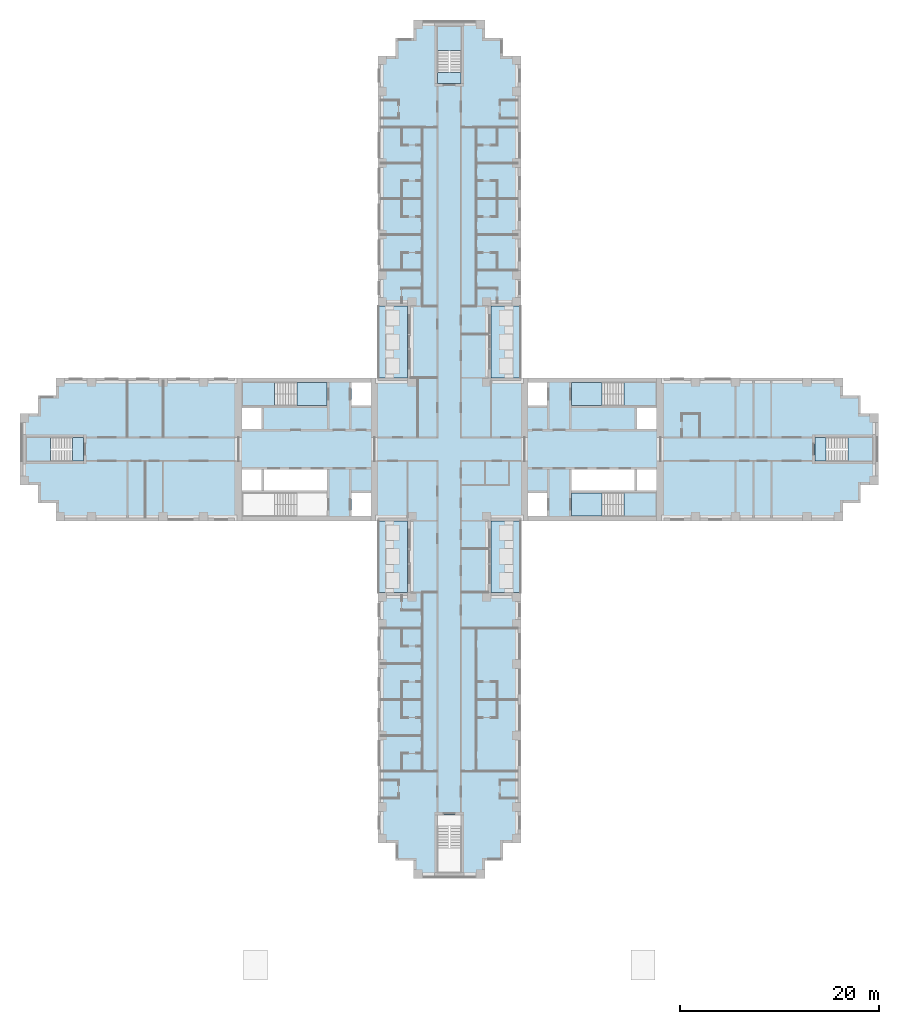
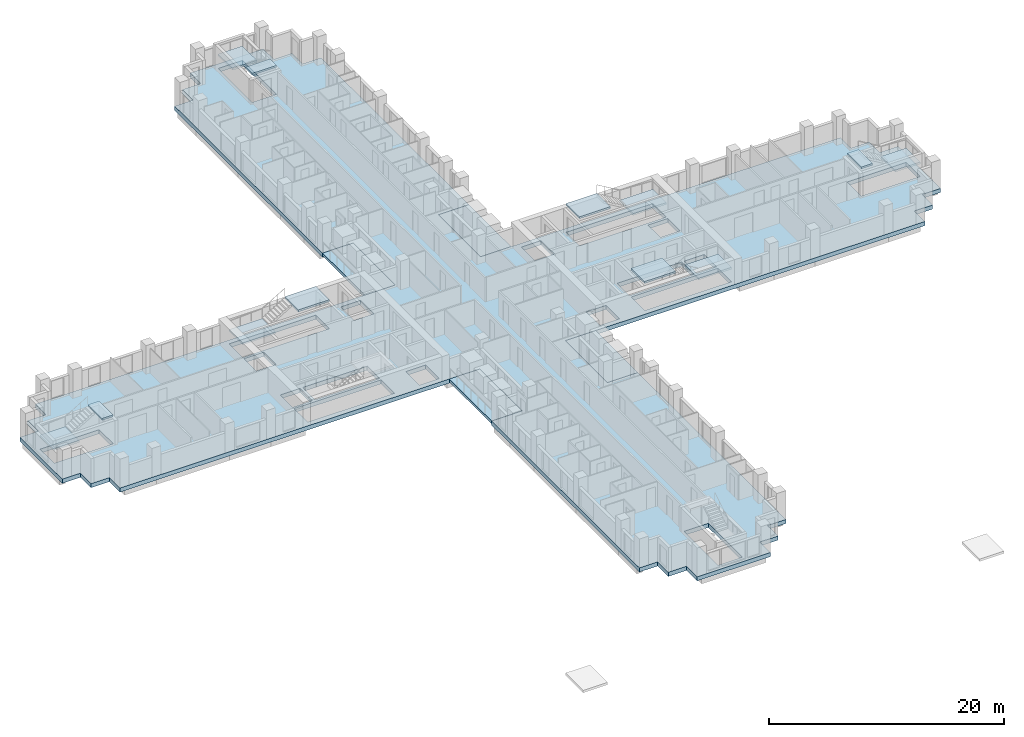
# One storey, part 2 of 15: 17 slabs, 6 elements without a shape of their own.
"""IFC4 building model written with IfcOpenShell, lengths in metres."""

from ifc_helpers import new_model, si_unit, direction, frame, origin, place, context, subcontext, project, spatial, polyline, outline, extrude, material, layer, layer_set, type_object, element, aggregate, save


model = new_model("IFC4")

# Units and contexts
model_context = context("Model", 3, precision=1e-05, world=origin(), true_north=direction((0.0, 1.0)))
body_context = subcontext(model_context, "Body", "Model", "MODEL_VIEW")
ifc_project = project(units=[si_unit("LENGTHUNIT", "METRE"), si_unit("AREAUNIT", "SQUARE_METRE"), si_unit("VOLUMEUNIT", "CUBIC_METRE"), si_unit("PLANEANGLEUNIT", "RADIAN"), si_unit("MASSUNIT", "GRAM", prefix="KILO")], contexts=[model_context])

# Site, building, storey
site_placement = place(None, origin())
site = spatial("IfcSite", under=ifc_project, at=site_placement, CompositionType="ELEMENT")
building_placement = place(site_placement, origin())
building = spatial("IfcBuilding", under=site, at=building_placement, Name="Fustian Cross Tower", CompositionType="ELEMENT")
storey_placement = place(building_placement, frame((0.0, 0.0, 11.699951171875)))
storey = spatial("IfcBuildingStorey", under=building, at=storey_placement, Name="L02", CompositionType="ELEMENT", Elevation=11.699951171875)

# Slabs
ifc_material_1 = material(Name="Concrete C40/50", Category="concrete")
ifc_layer_1 = layer(ifc_material_1, 0.300048828125)
ifc_layer_set_1 = layer_set([ifc_layer_1], Name="Concrete C40/50")
slab_type_1 = type_object("IfcSlabType", Name="BS1 BALCONY SLAB 300", PredefinedType="FLOOR", material=ifc_layer_set_1)
slab_1_placement = place(storey_placement, frame((0.0, 0.0, -0.300048828125)))
element("IfcSlab", 1, at=slab_1_placement, inside=storey, type_object=slab_type_1, Name="Balcony slab", PredefinedType="FLOOR", context=body_context, shape_type="SweptSolid", body=[
    extrude(outline(polyline([(4.199951171875, 7.199951171875), (7.199951171875, 7.199951171875), (7.199951171875, 14.39990234375), (4.199951171875, 14.39990234375), (4.199951171875, 7.199951171875)])), origin(), (0.0, 0.0, 1.0), 0.300048828125),
])
slab_2_placement = place(storey_placement, frame((0.0, 0.0, -0.300048828125)))
element("IfcSlab", 2, at=slab_2_placement, inside=storey, type_object=slab_type_1, Name="Balcony slab", PredefinedType="FLOOR", context=body_context, shape_type="SweptSolid", body=[
    extrude(outline(polyline([(-7.199951171875, 7.199951171875), (-4.199951171875, 7.199951171875), (-4.199951171875, 14.39990234375), (-7.199951171875, 14.39990234375), (-7.199951171875, 7.199951171875)])), origin(), (0.0, 0.0, 1.0), 0.300048828125),
])
slab_3_placement = place(storey_placement, frame((0.0, 0.0, -0.300048828125)))
element("IfcSlab", 3, at=slab_3_placement, inside=storey, type_object=slab_type_1, Name="Balcony slab", PredefinedType="FLOOR", context=body_context, shape_type="SweptSolid", body=[
    extrude(outline(polyline([(4.199951171875, -14.39990234375), (7.199951171875, -14.39990234375), (7.199951171875, -7.199951171875), (4.199951171875, -7.199951171875), (4.199951171875, -14.39990234375)])), origin(), (0.0, 0.0, 1.0), 0.300048828125),
])
slab_4_placement = place(storey_placement, frame((0.0, 0.0, -0.300048828125)))
element("IfcSlab", 4, at=slab_4_placement, inside=storey, type_object=slab_type_1, Name="Balcony slab", PredefinedType="FLOOR", context=body_context, shape_type="SweptSolid", body=[
    extrude(outline(polyline([(-7.199951171875, -14.39990234375), (-4.199951171875, -14.39990234375), (-4.199951171875, -7.199951171875), (-7.199951171875, -7.199951171875), (-7.199951171875, -14.39990234375)])), origin(), (0.0, 0.0, 1.0), 0.300048828125),
])
ifc_material_2 = material(Name="Concrete C40/50", Category="concrete")
ifc_layer_2 = layer(ifc_material_2, 0.425048828125)
ifc_layer_set_2 = layer_set([ifc_layer_2], Name="Concrete C40/50")
slab_type_2 = type_object("IfcSlabType", Name="FLAT SLAB 425", PredefinedType="FLOOR", material=ifc_layer_set_2)
slab_5_placement = place(storey_placement, frame((0.0, 0.0, -0.425048828125)))
element("IfcSlab", 5, at=slab_5_placement, inside=storey, type_object=slab_type_2, Name="FLOOR SLAB L02-1", PredefinedType="FLOOR", context=body_context, shape_type="SweptSolid", body=[
    extrude(outline(polyline([(-4.199951171875, -7.199951171875), (-39.60009765625, -7.199951171875), (-39.60009765625, -5.39990234375), (-41.39990234375, -5.39990234375), (-41.39990234375, -3.60009765625), (-43.199951171875, -3.60009765625), (-43.199951171875, 3.60009765625), (-41.39990234375, 3.60009765625), (-41.39990234375, 5.39990234375), (-39.60009765625, 5.39990234375), (-39.60009765625, 7.199951171875), (-4.199951171875, 7.199951171875), (-4.199951171875, 14.39990234375), (-7.199951171875, 14.39990234375), (-7.199951171875, 39.60009765625), (-5.39990234375, 39.60009765625), (-5.39990234375, 41.39990234375), (-3.60009765625, 41.39990234375), (-3.60009765625, 43.199951171875), (3.60009765625, 43.199951171875), (3.60009765625, 41.39990234375), (5.39990234375, 41.39990234375), (5.39990234375, 39.60009765625), (7.199951171875, 39.60009765625), (7.199951171875, 14.39990234375), (4.199951171875, 14.39990234375), (4.199951171875, 7.199951171875), (39.60009765625, 7.199951171875), (39.60009765625, 5.39990234375), (41.39990234375, 5.39990234375), (41.39990234375, 3.60009765625), (43.199951171875, 3.60009765625), (43.199951171875, -3.60009765625), (41.39990234375, -3.60009765625), (41.39990234375, -5.39990234375), (39.60009765625, -5.39990234375), (39.60009765625, -7.199951171875), (4.199951171875, -7.199951171875), (4.199951171875, -14.39990234375), (7.199951171875, -14.39990234375), (7.199951171875, -39.60009765625), (5.39990234375, -39.60009765625), (5.39990234375, -41.39990234375), (3.60009765625, -41.39990234375), (3.60009765625, -43.199951171875), (-3.60009765625, -43.199951171875), (-3.60009765625, -41.39990234375), (-5.39990234375, -41.39990234375), (-5.39990234375, -39.60009765625), (-7.199951171875, -39.60009765625), (-7.199951171875, -14.39990234375), (-4.199951171875, -14.39990234375), (-4.199951171875, -7.199951171875)]), holes=[polyline([(18.89990234375, -2.050048828125), (18.89990234375, -4.14990234375), (20.85009765625, -4.14990234375), (20.85009765625, -2.050048828125), (18.89990234375, -2.050048828125)]), polyline([(20.85009765625, 4.14990234375), (18.89990234375, 4.14990234375), (18.89990234375, 2.050048828125), (20.85009765625, 2.050048828125), (20.85009765625, 4.14990234375)]), polyline([(9.85009765625, 4.39990234375), (9.85009765625, 6.699951171875), (7.89990234375, 6.699951171875), (7.89990234375, 4.39990234375), (9.85009765625, 4.39990234375)]), polyline([(7.89990234375, -6.699951171875), (9.85009765625, -6.699951171875), (9.85009765625, -4.39990234375), (7.89990234375, -4.39990234375), (7.89990234375, -6.699951171875)]), polyline([(-20.85009765625, -2.050048828125), (-20.85009765625, -4.14990234375), (-18.89990234375, -4.14990234375), (-18.89990234375, -2.050048828125), (-20.85009765625, -2.050048828125)]), polyline([(-18.89990234375, 4.14990234375), (-20.85009765625, 4.14990234375), (-20.85009765625, 2.050048828125), (-18.89990234375, 2.050048828125), (-18.89990234375, 4.14990234375)]), polyline([(-7.89990234375, 4.39990234375), (-7.89990234375, 6.699951171875), (-9.85009765625, 6.699951171875), (-9.85009765625, 4.39990234375), (-7.89990234375, 4.39990234375)]), polyline([(-9.85009765625, -6.699951171875), (-7.89990234375, -6.699951171875), (-7.89990234375, -4.39990234375), (-9.85009765625, -4.39990234375), (-9.85009765625, -6.699951171875)]), polyline([(12.300048828125, -2.050048828125), (12.300048828125, -4.14990234375), (18.64990234375, -4.14990234375), (18.64990234375, -2.050048828125), (12.300048828125, -2.050048828125)]), polyline([(-12.300048828125, -2.050048828125), (-18.64990234375, -2.050048828125), (-18.64990234375, -4.14990234375), (-12.300048828125, -4.14990234375), (-12.300048828125, -2.050048828125)]), polyline([(20.85009765625, 4.39990234375), (20.85009765625, 6.699951171875), (12.300048828125, 6.699951171875), (12.300048828125, 4.39990234375), (20.85009765625, 4.39990234375)]), polyline([(12.300048828125, -6.699951171875), (20.85009765625, -6.699951171875), (20.85009765625, -4.39990234375), (12.300048828125, -4.39990234375), (12.300048828125, -6.699951171875)]), polyline([(-20.85009765625, 6.699951171875), (-20.85009765625, 4.39990234375), (-12.300048828125, 4.39990234375), (-12.300048828125, 6.699951171875), (-20.85009765625, 6.699951171875)]), polyline([(-12.300048828125, -4.39990234375), (-20.85009765625, -4.39990234375), (-20.85009765625, -6.699951171875), (-12.300048828125, -6.699951171875), (-12.300048828125, -4.39990234375)]), polyline([(1.199951171875, 36.800048828125), (1.199951171875, 42.60009765625), (-1.199951171875, 42.60009765625), (-1.199951171875, 36.800048828125), (1.199951171875, 36.800048828125)]), polyline([(-1.199951171875, -42.60009765625), (1.199951171875, -42.60009765625), (1.199951171875, -36.800048828125), (-1.199951171875, -36.800048828125), (-1.199951171875, -42.60009765625)]), polyline([(36.800048828125, 1.199951171875), (36.800048828125, -1.199951171875), (42.60009765625, -1.199951171875), (42.60009765625, 1.199951171875), (36.800048828125, 1.199951171875)]), polyline([(-36.800048828125, 1.199951171875), (-42.60009765625, 1.199951171875), (-42.60009765625, -1.199951171875), (-36.800048828125, -1.199951171875), (-36.800048828125, 1.199951171875)])]), origin(), (0.0, 0.0, 1.0), 0.425048828125),
])

# Stair, slabs
ifc_material_3 = material(Name="Concrete C50/60", Category="concrete")
stair_type_1 = type_object("IfcStairType", Name="STAIR 1150 HALF TURN", PredefinedType="HALF_TURN_STAIR", material=ifc_material_3)
stair_1_placement = place(storey_placement, origin())
stair_1 = element("IfcStair", 6, at=stair_1_placement, inside=storey, type_object=stair_type_1, Name="Stair ST1", PredefinedType="HALF_TURN_STAIR")
ifc_material_4 = material(Name="Concrete C50/60", Category="concrete")
ifc_layer_3 = layer(ifc_material_4, 0.199951171875)
ifc_layer_set_3 = layer_set([ifc_layer_3], Name="Concrete C50/60")
slab_type_3 = type_object("IfcSlabType", Name="STAIR LANDING", PredefinedType="LANDING", material=ifc_layer_set_3)
slab_6_placement = place(storey_placement, frame((0.0, 0.0, 1.300048828125)))
slab_6 = element("IfcSlab", 7, at=slab_6_placement, type_object=slab_type_3, Name="ST1 landing 1", PredefinedType="LANDING", context=body_context, shape_type="SweptSolid", body=[
    extrude(outline(polyline([(17.590087890625, 4.39990234375), (20.85009765625, 4.39990234375), (20.85009765625, 6.699951171875), (17.590087890625, 6.699951171875), (17.590087890625, 4.39990234375)])), origin(), (0.0, 0.0, 1.0), 0.199951171875),
])
slab_7_placement = place(storey_placement, frame((0.0, 0.0, 2.800048828125)))
slab_7 = element("IfcSlab", 8, at=slab_7_placement, type_object=slab_type_3, Name="ST1 landing 2", PredefinedType="LANDING", context=body_context, shape_type="SweptSolid", body=[
    extrude(outline(polyline([(12.300048828125, 4.39990234375), (15.35009765625, 4.39990234375), (15.35009765625, 6.699951171875), (12.300048828125, 6.699951171875), (12.300048828125, 4.39990234375)])), origin(), (0.0, 0.0, 1.0), 0.199951171875),
])
aggregate(stair_1, [slab_6, slab_7])

stair_2_placement = place(storey_placement, origin())
stair_2 = element("IfcStair", 9, at=stair_2_placement, inside=storey, type_object=stair_type_1, Name="Stair ST2", PredefinedType="HALF_TURN_STAIR")
slab_8_placement = place(storey_placement, frame((0.0, 0.0, 1.300048828125)))
slab_8 = element("IfcSlab", 10, at=slab_8_placement, type_object=slab_type_3, Name="ST2 landing 1", PredefinedType="LANDING", context=body_context, shape_type="SweptSolid", body=[
    extrude(outline(polyline([(17.590087890625, -4.39990234375), (20.85009765625, -4.39990234375), (20.85009765625, -6.699951171875), (17.590087890625, -6.699951171875), (17.590087890625, -4.39990234375)])), origin(), (0.0, 0.0, 1.0), 0.199951171875),
])
slab_9_placement = place(storey_placement, frame((0.0, 0.0, 2.800048828125)))
slab_9 = element("IfcSlab", 11, at=slab_9_placement, type_object=slab_type_3, Name="ST2 landing 2", PredefinedType="LANDING", context=body_context, shape_type="SweptSolid", body=[
    extrude(outline(polyline([(12.300048828125, -4.39990234375), (15.35009765625, -4.39990234375), (15.35009765625, -6.699951171875), (12.300048828125, -6.699951171875), (12.300048828125, -4.39990234375)])), origin(), (0.0, 0.0, 1.0), 0.199951171875),
])
aggregate(stair_2, [slab_8, slab_9])

stair_3_placement = place(storey_placement, origin())
stair_3 = element("IfcStair", 12, at=stair_3_placement, inside=storey, type_object=stair_type_1, Name="Stair ST3", PredefinedType="HALF_TURN_STAIR")
slab_10_placement = place(storey_placement, frame((0.0, 0.0, 1.300048828125)))
slab_10 = element("IfcSlab", 13, at=slab_10_placement, type_object=slab_type_3, Name="ST3 landing 1", PredefinedType="LANDING", context=body_context, shape_type="SweptSolid", body=[
    extrude(outline(polyline([(-17.590087890625, 4.39990234375), (-20.85009765625, 4.39990234375), (-20.85009765625, 6.699951171875), (-17.590087890625, 6.699951171875), (-17.590087890625, 4.39990234375)])), origin(), (0.0, 0.0, 1.0), 0.199951171875),
])
slab_11_placement = place(storey_placement, frame((0.0, 0.0, 2.800048828125)))
slab_11 = element("IfcSlab", 14, at=slab_11_placement, type_object=slab_type_3, Name="ST3 landing 2", PredefinedType="LANDING", context=body_context, shape_type="SweptSolid", body=[
    extrude(outline(polyline([(-12.300048828125, 4.39990234375), (-15.35009765625, 4.39990234375), (-15.35009765625, 6.699951171875), (-12.300048828125, 6.699951171875), (-12.300048828125, 4.39990234375)])), origin(), (0.0, 0.0, 1.0), 0.199951171875),
])
aggregate(stair_3, [slab_10, slab_11])

ifc_material_5 = material(Name="Concrete C50/60", Category="concrete")
stair_type_2 = type_object("IfcStairType", Name="STAIR 1100 HALF TURN", PredefinedType="HALF_TURN_STAIR", material=ifc_material_5)
stair_4_placement = place(storey_placement, origin())
stair_4 = element("IfcStair", 15, at=stair_4_placement, inside=storey, type_object=stair_type_2, Name="Stair ST5", PredefinedType="HALF_TURN_STAIR")
slab_12_placement = place(storey_placement, frame((0.0, 0.0, 1.300048828125)))
slab_12 = element("IfcSlab", 16, at=slab_12_placement, type_object=slab_type_3, Name="ST5 landing 1", PredefinedType="LANDING", context=body_context, shape_type="SweptSolid", body=[
    extrude(outline(polyline([(-1.199951171875, 40.139892578125), (-1.199951171875, 42.60009765625), (1.199951171875, 42.60009765625), (1.199951171875, 40.139892578125), (-1.199951171875, 40.139892578125)])), origin(), (0.0, 0.0, 1.0), 0.199951171875),
])
slab_13_placement = place(storey_placement, frame((0.0, 0.0, 2.800048828125)))
slab_13 = element("IfcSlab", 17, at=slab_13_placement, type_object=slab_type_3, Name="ST5 landing 2", PredefinedType="LANDING", context=body_context, shape_type="SweptSolid", body=[
    extrude(outline(polyline([(-1.199951171875, 36.800048828125), (-1.199951171875, 37.89990234375), (1.199951171875, 37.89990234375), (1.199951171875, 36.800048828125), (-1.199951171875, 36.800048828125)])), origin(), (0.0, 0.0, 1.0), 0.199951171875),
])
aggregate(stair_4, [slab_12, slab_13])

stair_5_placement = place(storey_placement, origin())
stair_5 = element("IfcStair", 18, at=stair_5_placement, inside=storey, type_object=stair_type_2, Name="Stair ST8", PredefinedType="HALF_TURN_STAIR")
slab_14_placement = place(storey_placement, frame((0.0, 0.0, 1.300048828125)))
slab_14 = element("IfcSlab", 19, at=slab_14_placement, type_object=slab_type_3, Name="ST8 landing 1", PredefinedType="LANDING", context=body_context, shape_type="SweptSolid", body=[
    extrude(outline(polyline([(40.139892578125, -1.199951171875), (42.60009765625, -1.199951171875), (42.60009765625, 1.199951171875), (40.139892578125, 1.199951171875), (40.139892578125, -1.199951171875)])), origin(), (0.0, 0.0, 1.0), 0.199951171875),
])
slab_15_placement = place(storey_placement, frame((0.0, 0.0, 2.800048828125)))
slab_15 = element("IfcSlab", 20, at=slab_15_placement, type_object=slab_type_3, Name="ST8 landing 2", PredefinedType="LANDING", context=body_context, shape_type="SweptSolid", body=[
    extrude(outline(polyline([(36.800048828125, -1.199951171875), (37.89990234375, -1.199951171875), (37.89990234375, 1.199951171875), (36.800048828125, 1.199951171875), (36.800048828125, -1.199951171875)])), origin(), (0.0, 0.0, 1.0), 0.199951171875),
])
aggregate(stair_5, [slab_14, slab_15])

stair_6_placement = place(storey_placement, origin())
stair_6 = element("IfcStair", 21, at=stair_6_placement, inside=storey, type_object=stair_type_2, Name="Stair ST9", PredefinedType="HALF_TURN_STAIR")
slab_16_placement = place(storey_placement, frame((0.0, 0.0, 1.300048828125)))
slab_16 = element("IfcSlab", 22, at=slab_16_placement, type_object=slab_type_3, Name="ST9 landing 1", PredefinedType="LANDING", context=body_context, shape_type="SweptSolid", body=[
    extrude(outline(polyline([(-40.139892578125, -1.199951171875), (-42.60009765625, -1.199951171875), (-42.60009765625, 1.199951171875), (-40.139892578125, 1.199951171875), (-40.139892578125, -1.199951171875)])), origin(), (0.0, 0.0, 1.0), 0.199951171875),
])
slab_17_placement = place(storey_placement, frame((0.0, 0.0, 2.800048828125)))
slab_17 = element("IfcSlab", 23, at=slab_17_placement, type_object=slab_type_3, Name="ST9 landing 2", PredefinedType="LANDING", context=body_context, shape_type="SweptSolid", body=[
    extrude(outline(polyline([(-36.800048828125, -1.199951171875), (-37.89990234375, -1.199951171875), (-37.89990234375, 1.199951171875), (-36.800048828125, 1.199951171875), (-36.800048828125, -1.199951171875)])), origin(), (0.0, 0.0, 1.0), 0.199951171875),
])
aggregate(stair_6, [slab_16, slab_17])

save(model, "model.ifc")
